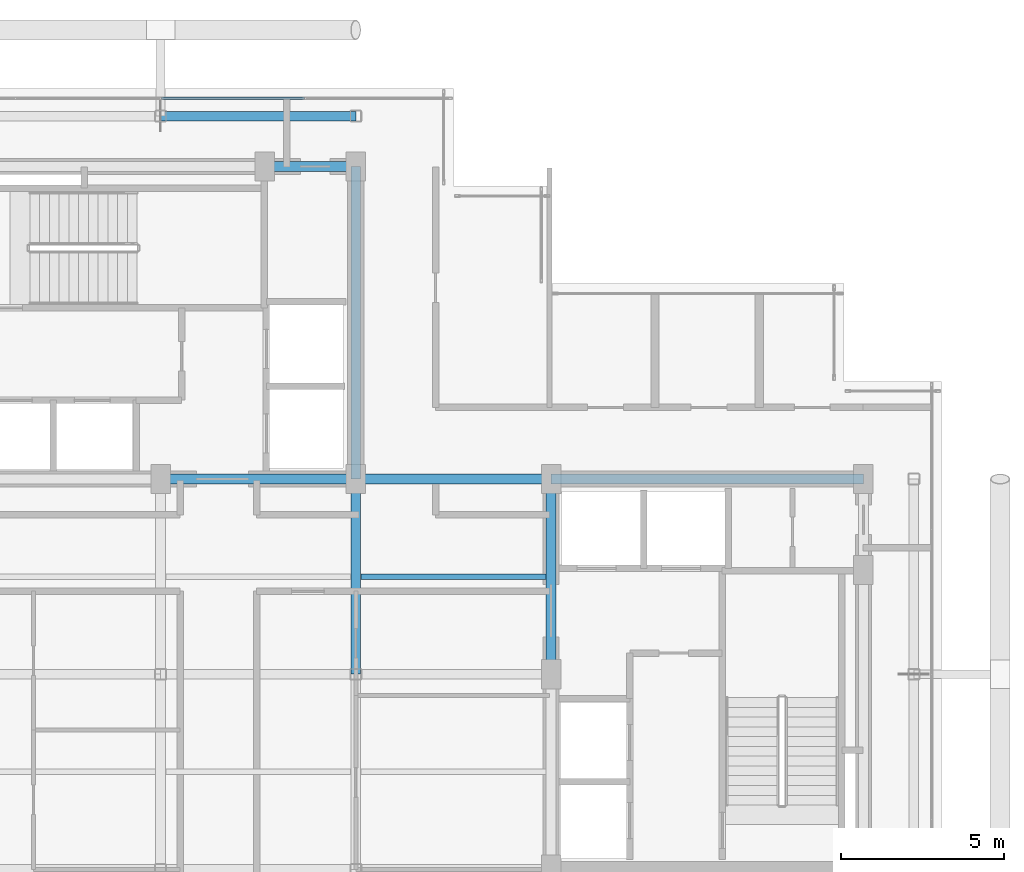
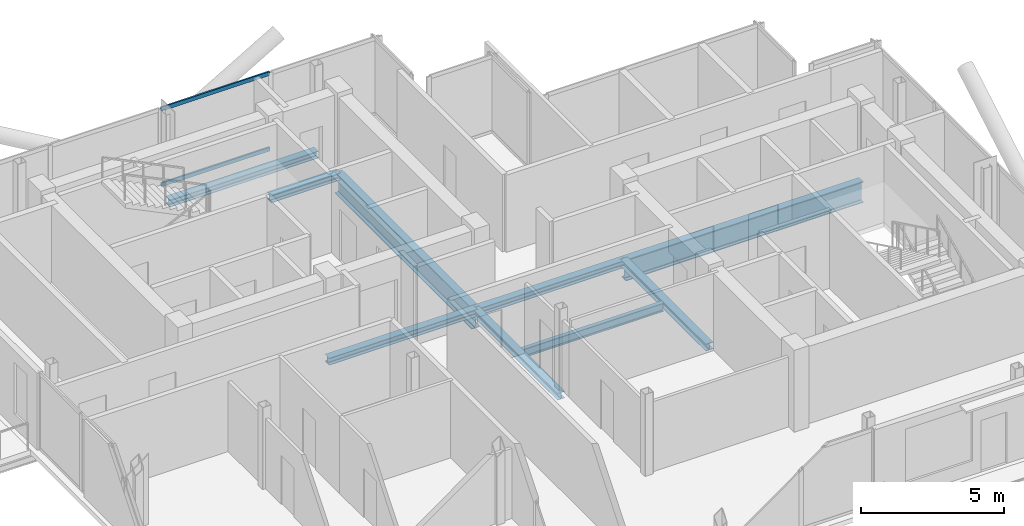
# One storey, part 9 of 18: 9 beams, 2 members, 1 element without a shape of its own.
"""IFC4 building model written with IfcOpenShell, lengths in metres."""

from ifc_helpers import new_model, si_unit, direction, frame, origin, origin_2d, place, context, subcontext, project, spatial, hollow_rectangle, i_section, extrude, material, layer, layer_set, material_profile, profile_set, type_object, element, aggregate, save


model = new_model("IFC4")

# Units and contexts
model_context = context("Model", 3, precision=1e-05, world=origin(), true_north=direction((0.0, 1.0)))
body_context = subcontext(model_context, "Body", "Model", "MODEL_VIEW")
ifc_project = project(units=[si_unit("LENGTHUNIT", "METRE"), si_unit("AREAUNIT", "SQUARE_METRE"), si_unit("VOLUMEUNIT", "CUBIC_METRE"), si_unit("PLANEANGLEUNIT", "RADIAN"), si_unit("MASSUNIT", "GRAM", prefix="KILO"), si_unit("THERMODYNAMICTEMPERATUREUNIT", "KELVIN"), si_unit("POWERUNIT", "WATT")], contexts=[model_context])

# Site, building, storey
site_placement = place(None, origin())
site = spatial("IfcSite", under=ifc_project, at=site_placement, CompositionType="ELEMENT")
building_placement = place(site_placement, origin())
building = spatial("IfcBuilding", under=site, at=building_placement, Name="Svarakhadi Broadcast Tower", CompositionType="ELEMENT")
storey_placement = place(building_placement, frame((0.0, 0.0, 246.699951171875)))
storey = spatial("IfcBuildingStorey", under=building, at=storey_placement, Name="L61", CompositionType="ELEMENT", Elevation=246.699951171875)

# Beam
ifc_material_1 = material(Name="Steel S355J2 (IS 2062 E350C)", Category="steel")
ifc_material_profile_1 = material_profile(ifc_material_1, i_section(OverallWidth=0.169921875, OverallDepth=0.360107421875, WebThickness=0.008056640625, FlangeThickness=0.0126953125, FilletRadius=0.01806640625, at=origin_2d()), Name="NPB 360x170x57")
ifc_profile_set_1 = profile_set([ifc_material_profile_1], Name="Steel S355J2 (IS 2062 E350C)")
beam_type_1 = type_object("IfcBeamType", Name="Beam_NPB360", PredefinedType="BEAM", material=ifc_profile_set_1)
beam_1_placement = place(storey_placement, frame((18.159912109375, 15.0, -0.3798828125), z_axis=(1.0, 0.0, 0.0), x_axis=(0.0, 1.0, 0.0)))
element("IfcBeam", 1, at=beam_1_placement, inside=storey, type_object=beam_type_1, Name="L61 Secondary Composite Beam SB012", PredefinedType="BEAM", context=body_context, shape_type="SweptSolid", body=[
    extrude(i_section(OverallWidth=0.169921875, OverallDepth=0.360107421875, WebThickness=0.008056640625, FlangeThickness=0.0126953125, FilletRadius=0.01806640625, at=origin_2d()), origin(), (0.0, 0.0, 1.0), 5.68017578125),
])

# Curtain wall, members
ifc_material_2 = material(Name="Anodised Bronze Aluminium AA 6063-T6", Category="aluminium")
ifc_layer = layer(ifc_material_2, 0.179931640625)
ifc_layer_set = layer_set([ifc_layer], Name="Anodised Bronze Aluminium AA 6063-T6")
curtain_wall_type = type_object("IfcCurtainWallType", Name="CW_Sys_05", PredefinedType="NOTDEFINED", material=ifc_layer_set)
curtain_wall_placement = place(storey_placement, origin())
curtain_wall = element("IfcCurtainWall", 2, at=curtain_wall_placement, inside=storey, type_object=curtain_wall_type, Name="L61 Unitised Facade Curtain Wall 05", PredefinedType="NOTDEFINED")
ifc_material_profile_2 = material_profile(ifc_material_2, hollow_rectangle(XDim=0.06494140625, YDim=0.1650390625, WallThickness=0.0048828125, at=origin_2d()), Name="ALU TRANSOM 165x65x5")
ifc_profile_set_2 = profile_set([ifc_material_profile_2], Name="Anodised Bronze Aluminium AA 6063-T6")
member_type = type_object("IfcMemberType", Name="CW_Sys_05_Trn", PredefinedType="USERDEFINED", material=ifc_profile_set_2)
member_1_placement = place(storey_placement, frame((12.034912109375, 29.699951171875, 0.032470703125), z_axis=(1.0, 0.0, 0.0), x_axis=(0.0, 1.0, 0.0)))
member_1 = element("IfcMember", 3, at=member_1_placement, type_object=member_type, Name="CW-05 transom 3.1", ObjectType="TRANSOM", PredefinedType="USERDEFINED", context=body_context, shape_type="SweptSolid", body=[
    extrude(hollow_rectangle(XDim=0.06494140625, YDim=0.1650390625, WallThickness=0.0048828125, at=origin_2d()), origin(), (0.0, 0.0, 1.0), 4.385009765625),
])
member_2_placement = place(storey_placement, frame((12.034912109375, 29.699951171875, 3.267578125), z_axis=(1.0, 0.0, 0.0), x_axis=(0.0, 1.0, 0.0)))
member_2 = element("IfcMember", 4, at=member_2_placement, type_object=member_type, Name="CW-05 transom 3.2", ObjectType="TRANSOM", PredefinedType="USERDEFINED", context=body_context, shape_type="SweptSolid", body=[
    extrude(hollow_rectangle(XDim=0.06494140625, YDim=0.1650390625, WallThickness=0.0048828125, at=origin_2d()), origin(), (0.0, 0.0, 1.0), 4.385009765625),
])
aggregate(curtain_wall, [member_1, member_2])

# Beams
ifc_material_profile_3 = material_profile(ifc_material_1, i_section(OverallWidth=0.300048828125, OverallDepth=0.300048828125, WebThickness=0.010986328125, FlangeThickness=0.01904296875, FilletRadius=0.027099609375, at=origin_2d()), Name="WPB 300x300x117")
ifc_profile_set_3 = profile_set([ifc_material_profile_3], Name="Steel S355J2 (IS 2062 E350C)")
beam_type_2 = type_object("IfcBeamType", Name="Girder_WPB300", PredefinedType="USERDEFINED", material=ifc_profile_set_3)
for number, where, z_axis, x_axis, name in (
    (5, (12.0, 18.0, -0.349853515625), (1.0, 0.0, 0.0), (0.0, 1.0, 0.0), "L61 Primary E-W Girder G019"),
    (6, (18.0, 18.0, -0.349853515625), (1.0, 0.0, 0.0), (0.0, 1.0, 0.0), "L61 Primary E-W Girder G020"),
):
    element("IfcBeam", number, at=place(storey_placement, frame(where, z_axis=z_axis, x_axis=x_axis)), inside=storey, type_object=beam_type_2, Name=name, ObjectType="GIRDER", PredefinedType="USERDEFINED", context=body_context, shape_type="SweptSolid", body=[
        extrude(i_section(OverallWidth=0.300048828125, OverallDepth=0.300048828125, WebThickness=0.010986328125, FlangeThickness=0.01904296875, FilletRadius=0.027099609375, at=origin_2d()), origin(), (0.0, 0.0, 1.0), 6.0),
    ])
beam_2_placement = place(storey_placement, frame((15.199951171875, 27.60009765625, -0.349853515625), z_axis=(1.0, 0.0, 0.0), x_axis=(0.0, 1.0, 0.0)))
element("IfcBeam", 7, at=beam_2_placement, inside=storey, type_object=beam_type_2, Name="L61 Primary E-W Girder G023", ObjectType="GIRDER", PredefinedType="USERDEFINED", context=body_context, shape_type="SweptSolid", body=[
    extrude(i_section(OverallWidth=0.300048828125, OverallDepth=0.300048828125, WebThickness=0.010986328125, FlangeThickness=0.01904296875, FilletRadius=0.027099609375, at=origin_2d()), origin(), (0.0, 0.0, 1.0), 2.800048828125),
])
for number, where, z_axis, x_axis, name in (
    (8, (12.0, 29.14990234375, -0.349853515625), (1.0, 0.0, 0.0), (0.0, 1.0, 0.0), "L61 Primary E-W Girder G025"),
    (9, (18.0, 12.0, -0.349853515625), (0.0, 1.0, 0.0), (-1.0, 0.0, 0.0), "L61 Primary N-S Girder G038"),
    (10, (24.0, 12.0, -0.349853515625), (0.0, 1.0, 0.0), (-1.0, 0.0, 0.0), "L61 Primary N-S Girder G042"),
):
    element("IfcBeam", number, at=place(storey_placement, frame(where, z_axis=z_axis, x_axis=x_axis)), inside=storey, type_object=beam_type_2, Name=name, ObjectType="GIRDER", PredefinedType="USERDEFINED", context=body_context, shape_type="SweptSolid", body=[
        extrude(i_section(OverallWidth=0.300048828125, OverallDepth=0.300048828125, WebThickness=0.010986328125, FlangeThickness=0.01904296875, FilletRadius=0.027099609375, at=origin_2d()), origin(), (0.0, 0.0, 1.0), 6.0),
    ])
ifc_material_3 = material(Name="Steel S460ML (IS 2062 E450BR)", Category="steel")
ifc_material_profile_4 = material_profile(ifc_material_3, i_section(OverallWidth=0.300048828125, OverallDepth=0.89990234375, WebThickness=0.0185546875, FlangeThickness=0.034912109375, FilletRadius=0.030029296875, at=origin_2d()), Name="WPB 900x300x291")
ifc_profile_set_4 = profile_set([ifc_material_profile_4], Name="Steel S460ML (IS 2062 E450BR)")
beam_type_3 = type_object("IfcBeamType", Name="Girder_WPB900", PredefinedType="USERDEFINED", material=ifc_profile_set_4)
for number, where, z_axis, x_axis, name in (
    (11, (24.0, 18.0, -0.64990234375), (1.0, 0.0, 0.0), (0.0, 1.0, 0.0), "L61 Primary E-W Girder G021"),
    (12, (18.0, 18.0, -0.64990234375), (0.0, 1.0, 0.0), (-1.0, 0.0, 0.0), "L61 Primary N-S Girder G039"),
):
    element("IfcBeam", number, at=place(storey_placement, frame(where, z_axis=z_axis, x_axis=x_axis)), inside=storey, type_object=beam_type_3, Name=name, ObjectType="GIRDER", PredefinedType="USERDEFINED", context=body_context, shape_type="SweptSolid", body=[
        extrude(i_section(OverallWidth=0.300048828125, OverallDepth=0.89990234375, WebThickness=0.0185546875, FlangeThickness=0.034912109375, FilletRadius=0.030029296875, at=origin_2d()), origin(), (0.0, 0.0, 1.0), 9.60009765625),
    ])

save(model, "model.ifc")
